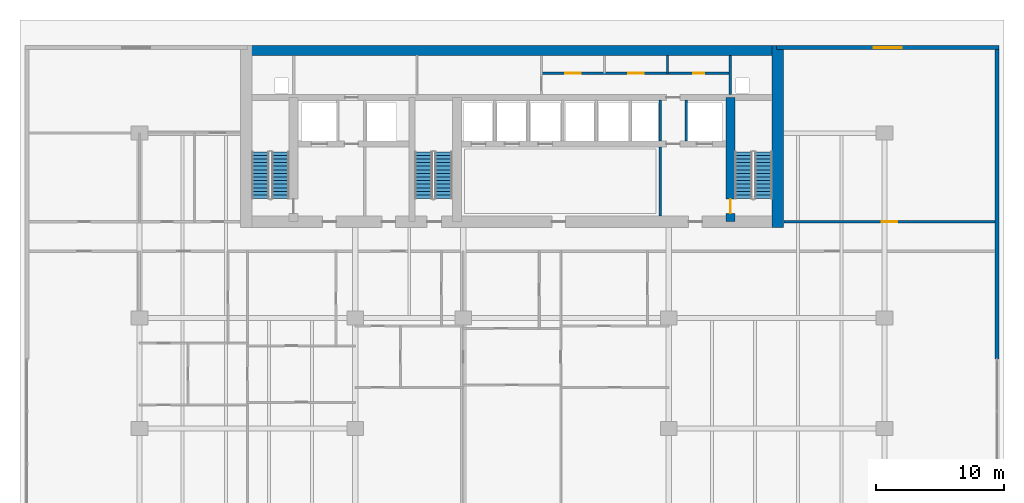
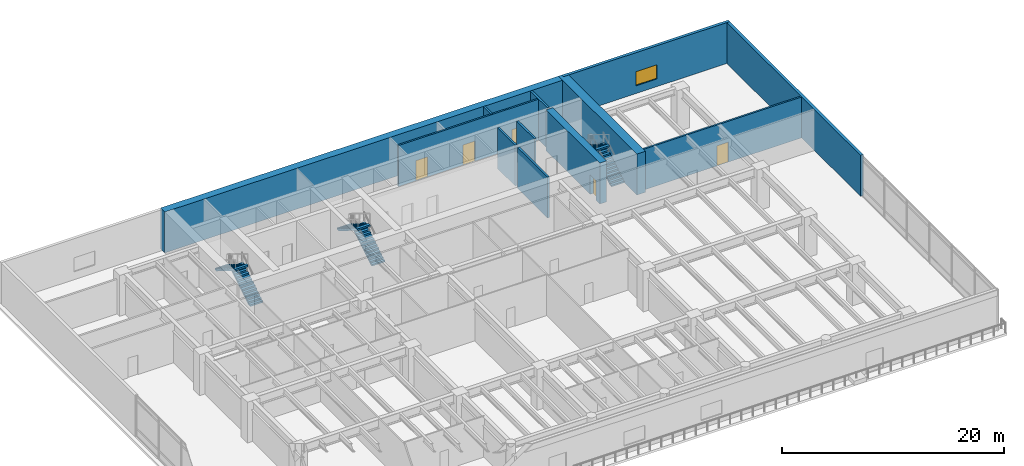
# One storey, part 10 of 14: 12 walls, 6 stair flights, 5 doors, 1 window, 6 openings, 3 elements without a shape of their own.
"""IFC4 building model written with IfcOpenShell, lengths in metres."""

from ifc_helpers import new_model, si_unit, direction, frame, frame_2d, origin, place, context, subcontext, project, spatial, polyline, rectangle, outline, extrude, material, layer, layer_set, type_object, element, fill, aggregate, save


model = new_model("IFC4")

# Units and contexts
model_context = context("Model", 3, precision=1e-05, world=origin(), true_north=direction((0.0, 1.0)))
body_context = subcontext(model_context, "Body", "Model", "MODEL_VIEW")
ifc_project = project(units=[si_unit("LENGTHUNIT", "METRE"), si_unit("AREAUNIT", "SQUARE_METRE"), si_unit("VOLUMEUNIT", "CUBIC_METRE"), si_unit("PLANEANGLEUNIT", "RADIAN"), si_unit("MASSUNIT", "GRAM", prefix="KILO")], contexts=[model_context])

# Site, building, storey
site_placement = place(None, origin())
site = spatial("IfcSite", under=ifc_project, at=site_placement, CompositionType="ELEMENT")
building_placement = place(site_placement, origin())
building = spatial("IfcBuilding", under=site, at=building_placement, Name="Caelmar Bay Residences", CompositionType="ELEMENT")
storey_placement = place(building_placement, frame((0.0, 0.0, 15.0)))
storey = spatial("IfcBuildingStorey", under=building, at=storey_placement, Name="L03", CompositionType="ELEMENT", Elevation=15.0)

# Wall, opening, door
ifc_material_1 = material(Name="Concrete f'c 55 MPa (8,000 psi)", Category="concrete")
ifc_layer_1 = layer(ifc_material_1, 0.699951171875)
ifc_layer_set_1 = layer_set([ifc_layer_1], Name="Concrete f'c 55 MPa (8,000 psi)")
wall_type_1 = type_object("IfcWallType", Name="SW-COR-700", PredefinedType="SHEAR", material=ifc_layer_set_1)
wall_1_placement = place(storey_placement, frame((55.89990234375, 36.89990234375, 0.0), z_axis=(0.0, 0.0, 1.0), x_axis=(0.0, 1.0, 0.0)))
wall_1 = element("IfcWall", 1, at=wall_1_placement, inside=storey, type_object=wall_type_1, Name="L03 Core Structural Web Wall ST2W", PredefinedType="SHEAR", context=body_context, shape_type="SweptSolid", body=[
    extrude(rectangle(XDim=9.675048828125, YDim=0.699951171875, at=frame_2d((4.83740234375, 0.0))), origin(), (0.0, 0.0, 1.0), 4.5),
])
opening_1_placement = place(wall_1_placement, frame((0.64990234375, 0.0, 0.0)))
opening_1 = element("IfcOpeningElement", 2, at=opening_1_placement, cuts=wall_1, Name="Opening D-L03-111", PredefinedType="OPENING", context=body_context, shape_type="SweptSolid", body=[
    extrude(rectangle(XDim=1.10009765625, YDim=2.14990234375, at=frame_2d((0.550048828125, 1.074951171875))), frame((0.0, 0.35986328125, 0.0), z_axis=(0.0, -1.0, 0.0), x_axis=(1.0, 0.0, 0.0)), (0.0, 0.0, 1.0), 0.719970703125),
])
ifc_material_2 = material(Name="Fire-rated steel and walnut architectural door assembly", Category="steel")
ifc_layer_2 = layer(ifc_material_2, 0.050048828125)
ifc_layer_set_2 = layer_set([ifc_layer_2], Name="Fire-rated steel and walnut architectural door assembly")
door_type_1 = type_object("IfcDoorType", Name="D-STAIR-1100", OperationType="NOTDEFINED", PredefinedType="DOOR", material=ifc_layer_set_2)
door_1_placement = place(opening_1_placement, origin())
door_1 = element("IfcDoor", 3, at=door_1_placement, inside=storey, type_object=door_type_1, Name="L03 Firefighting Lobby East Door", OperationType="SINGLE_SWING_RIGHT", OverallHeight=2.14990234375, OverallWidth=1.10009765625, PredefinedType="DOOR", context=body_context, shape_type="SweptSolid", body=[
    extrude(rectangle(XDim=1.10009765625, YDim=2.14990234375, at=frame_2d((0.550048828125, 1.074951171875))), frame((0.0, 0.02490234375, 0.0), z_axis=(0.0, -1.0, 0.0), x_axis=(1.0, 0.0, 0.0)), (0.0, 0.0, 1.0), 0.050048828125),
])
fill(opening_1, door_1)

# Walls
ifc_material_3 = material(Name="Concrete f'c 70 MPa (10,000 psi)", Category="concrete")
ifc_layer_3 = layer(ifc_material_3, 0.89990234375)
ifc_layer_set_3 = layer_set([ifc_layer_3], Name="Concrete f'c 70 MPa (10,000 psi)")
wall_type_2 = type_object("IfcWallType", Name="SW-COR-900", PredefinedType="SHEAR", material=ifc_layer_set_3)
wall_2_placement = place(storey_placement, frame((59.60009765625, 36.449951171875, 0.0), z_axis=(0.0, 0.0, 1.0), x_axis=(0.0, 1.0, 0.0)))
element("IfcWall", 4, at=wall_2_placement, inside=storey, type_object=wall_type_2, Name="L03 Rear Core East Shear Wall", PredefinedType="SHEAR", context=body_context, shape_type="SweptSolid", body=[
    extrude(rectangle(XDim=14.150146484375, YDim=0.89990234375, at=frame_2d((7.0751953125, 0.0))), origin(), (0.0, 0.0, 1.0), 4.5),
])
ifc_layer_4 = layer(ifc_material_3, 0.75)
ifc_layer_set_4 = layer_set([ifc_layer_4], Name="Concrete f'c 70 MPa (10,000 psi)")
wall_type_3 = type_object("IfcWallType", Name="SW-CORN-750", PredefinedType="SHEAR", material=ifc_layer_set_4)
wall_3_placement = place(storey_placement, frame((17.75, 50.22509765625, 0.0), z_axis=(0.0, 0.0, 1.0), x_axis=(1.0, 0.0, 0.0)))
element("IfcWall", 5, at=wall_3_placement, inside=storey, type_object=wall_type_3, Name="L03 Rear Core North Shear Wall", PredefinedType="SHEAR", context=body_context, shape_type="SweptSolid", body=[
    extrude(rectangle(XDim=42.300048828125, YDim=0.75, at=frame_2d((21.14990234375, 0.0))), origin(), (0.0, 0.0, 1.0), 4.5),
])
ifc_material_4 = material(Name="Double-stud acoustic fire-rated gypsum partition 180 mm")
ifc_layer_5 = layer(ifc_material_4, 0.179931640625)
ifc_layer_set_5 = layer_set([ifc_layer_5], Name="Double-stud acoustic fire-rated gypsum partition 180 mm")
wall_type_4 = type_object("IfcWallType", Name="W-COR-200", PredefinedType="PARTITIONING", material=ifc_layer_set_5)
wall_4_placement = place(storey_placement, frame((51.0, 48.449951171875, 0.0), z_axis=(0.0, 0.0, 1.0), x_axis=(0.0, 1.0, 0.0)))
element("IfcWall", 6, at=wall_4_placement, inside=storey, type_object=wall_type_4, Name="L03 Partition Wall V029", PredefinedType="PARTITIONING", context=body_context, shape_type="SweptSolid", body=[
    extrude(rectangle(XDim=1.405029296875, YDim=0.179931640625, at=frame_2d((0.70263671875, 0.0))), origin(), (0.0, 0.0, 1.0), 4.5),
])

# Wall, opening, door
wall_5_placement = place(storey_placement, frame((60.054931640625, 36.89990234375, 0.0), z_axis=(0.0, 0.0, 1.0), x_axis=(1.0, 0.0, 0.0)))
wall_5 = element("IfcWall", 7, at=wall_5_placement, inside=storey, type_object=wall_type_4, Name="L03 Partition Wall H047", PredefinedType="PARTITIONING", context=body_context, shape_type="SweptSolid", body=[
    extrude(rectangle(XDim=16.449951171875, YDim=0.179931640625, at=frame_2d((8.22509765625, 0.0))), origin(), (0.0, 0.0, 1.0), 4.5),
])
opening_2_placement = place(wall_5_placement, frame((7.625, 0.0, 0.0)))
opening_2 = element("IfcOpeningElement", 8, at=opening_2_placement, cuts=wall_5, Name="Opening D-L03-151", PredefinedType="OPENING", context=body_context, shape_type="SweptSolid", body=[
    extrude(rectangle(XDim=1.199951171875, YDim=2.199951171875, at=frame_2d((0.60009765625, 1.10009765625))), frame((0.0, 0.099853515625, 0.0), z_axis=(0.0, -1.0, 0.0), x_axis=(1.0, 0.0, 0.0)), (0.0, 0.0, 1.0), 0.199951171875),
])
ifc_layer_6 = layer(ifc_material_2, 0.050048828125)
ifc_layer_set_6 = layer_set([ifc_layer_6], Name="Fire-rated steel and walnut architectural door assembly")
door_type_2 = type_object("IfcDoorType", Name="D-PLANT-1200", OperationType="NOTDEFINED", PredefinedType="DOOR", material=ifc_layer_set_6)
door_2_placement = place(opening_2_placement, origin())
door_2 = element("IfcDoor", 9, at=door_2_placement, inside=storey, type_object=door_type_2, Name="L03 Podium L03 East Fan Plant Room Door", OperationType="SINGLE_SWING_RIGHT", OverallHeight=2.199951171875, OverallWidth=1.199951171875, PredefinedType="DOOR", context=body_context, shape_type="SweptSolid", body=[
    extrude(rectangle(XDim=1.199951171875, YDim=2.199951171875, at=frame_2d((0.60009765625, 1.10009765625))), frame((0.0, 0.02490234375, 0.0), z_axis=(0.0, -1.0, 0.0), x_axis=(1.0, 0.0, 0.0)), (0.0, 0.0, 1.0), 0.050048828125),
])
fill(opening_2, door_2)

# Wall, openings, doors
wall_6_placement = place(storey_placement, frame((41.199951171875, 48.449951171875, 0.0), z_axis=(0.0, 0.0, 1.0), x_axis=(1.0, 0.0, 0.0)))
wall_6 = element("IfcWall", 10, at=wall_6_placement, inside=storey, type_object=wall_type_4, Name="L03 Partition Wall H049", PredefinedType="PARTITIONING", context=body_context, shape_type="SweptSolid", body=[
    extrude(rectangle(XDim=14.699951171875, YDim=0.179931640625, at=frame_2d((7.35009765625, 0.0))), origin(), (0.0, 0.0, 1.0), 4.5),
])
opening_3_placement = place(wall_6_placement, frame((1.85009765625, 0.0, 0.0)))
opening_3 = element("IfcOpeningElement", 11, at=opening_3_placement, cuts=wall_6, Name="Opening D-L03-118", PredefinedType="OPENING", context=body_context, shape_type="SweptSolid", body=[
    extrude(rectangle(XDim=1.199951171875, YDim=2.199951171875, at=frame_2d((0.60009765625, 1.10009765625))), frame((0.0, 0.099853515625, 0.0), z_axis=(0.0, -1.0, 0.0), x_axis=(1.0, 0.0, 0.0)), (0.0, 0.0, 1.0), 0.199951171875),
])
opening_4_placement = place(wall_6_placement, frame((6.75, 0.0, 0.0)))
opening_4 = element("IfcOpeningElement", 12, at=opening_4_placement, cuts=wall_6, Name="Opening D-L03-119", PredefinedType="OPENING", context=body_context, shape_type="SweptSolid", body=[
    extrude(rectangle(XDim=1.199951171875, YDim=2.199951171875, at=frame_2d((0.60009765625, 1.10009765625))), frame((0.0, 0.099853515625, 0.0), z_axis=(0.0, -1.0, 0.0), x_axis=(1.0, 0.0, 0.0)), (0.0, 0.0, 1.0), 0.199951171875),
])
opening_5_placement = place(wall_6_placement, frame((11.824951171875, 0.0, 0.0)))
opening_5 = element("IfcOpeningElement", 13, at=opening_5_placement, cuts=wall_6, Name="Opening D-L03-120", PredefinedType="OPENING", context=body_context, shape_type="SweptSolid", body=[
    extrude(rectangle(XDim=0.85009765625, YDim=2.10009765625, at=frame_2d((0.425048828125, 1.050048828125))), frame((0.0, 0.099853515625, 0.0), z_axis=(0.0, -1.0, 0.0), x_axis=(1.0, 0.0, 0.0)), (0.0, 0.0, 1.0), 0.199951171875),
])
ifc_layer_7 = layer(ifc_material_2, 0.050048828125)
ifc_layer_set_7 = layer_set([ifc_layer_7], Name="Fire-rated steel and walnut architectural door assembly")
door_type_3 = type_object("IfcDoorType", Name="D-CORE-850", OperationType="NOTDEFINED", PredefinedType="DOOR", material=ifc_layer_set_7)
door_3_placement = place(opening_5_placement, origin())
door_3 = element("IfcDoor", 14, at=door_3_placement, inside=storey, type_object=door_type_3, Name="L03 Accessible Staff WC Door", OperationType="SINGLE_SWING_LEFT", OverallHeight=2.10009765625, OverallWidth=0.85009765625, PredefinedType="DOOR", context=body_context, shape_type="SweptSolid", body=[
    extrude(rectangle(XDim=0.85009765625, YDim=2.10009765625, at=frame_2d((0.425048828125, 1.050048828125))), frame((0.0, 0.02490234375, 0.0), z_axis=(0.0, -1.0, 0.0), x_axis=(1.0, 0.0, 0.0)), (0.0, 0.0, 1.0), 0.050048828125),
])
fill(opening_5, door_3)
door_4_placement = place(opening_3_placement, origin())
door_4 = element("IfcDoor", 15, at=door_4_placement, inside=storey, type_object=door_type_2, Name="L03 Electrical Closet Door", OperationType="SINGLE_SWING_LEFT", OverallHeight=2.199951171875, OverallWidth=1.199951171875, PredefinedType="DOOR", context=body_context, shape_type="SweptSolid", body=[
    extrude(rectangle(XDim=1.199951171875, YDim=2.199951171875, at=frame_2d((0.60009765625, 1.10009765625))), frame((0.0, 0.02490234375, 0.0), z_axis=(0.0, -1.0, 0.0), x_axis=(1.0, 0.0, 0.0)), (0.0, 0.0, 1.0), 0.050048828125),
])
fill(opening_3, door_4)
door_5_placement = place(opening_4_placement, origin())
door_5 = element("IfcDoor", 16, at=door_5_placement, inside=storey, type_object=door_type_2, Name="L03 Housekeeping Linen Closet Door", OperationType="SINGLE_SWING_RIGHT", OverallHeight=2.199951171875, OverallWidth=1.199951171875, PredefinedType="DOOR", context=body_context, shape_type="SweptSolid", body=[
    extrude(rectangle(XDim=1.199951171875, YDim=2.199951171875, at=frame_2d((0.60009765625, 1.10009765625))), frame((0.0, 0.02490234375, 0.0), z_axis=(0.0, -1.0, 0.0), x_axis=(1.0, 0.0, 0.0)), (0.0, 0.0, 1.0), 0.050048828125),
])
fill(opening_4, door_5)

# Wall
ifc_material_5 = material(Name="Precast concrete f'c 40 MPa (6,000 psi)", Category="concrete")
ifc_layer_8 = layer(ifc_material_5, 0.300048828125)
ifc_layer_set_8 = layer_set([ifc_layer_8], Name="Precast concrete f'c 40 MPa (6,000 psi)")
wall_type_5 = type_object("IfcWallType", Name="W-EXT-300", PredefinedType="STANDARD", material=ifc_layer_set_8)
wall_7_placement = place(storey_placement, frame((76.64990234375, 50.60009765625, 0.0), z_axis=(0.0, 0.0, 1.0), x_axis=(0.0, -1.0, 0.0)))
element("IfcWall", 17, at=wall_7_placement, inside=storey, type_object=wall_type_5, Name="L03 East Rear Exterior Wall", PredefinedType="STANDARD", context=body_context, shape_type="SweptSolid", body=[
    extrude(rectangle(XDim=24.400146484375, YDim=0.300048828125, at=frame_2d((12.2001953125, 0.0))), origin(), (0.0, 0.0, 1.0), 4.5),
])

# Wall, opening, window
wall_8_placement = place(storey_placement, frame((59.5, 50.449951171875, 0.0), z_axis=(0.0, 0.0, 1.0), x_axis=(1.0, 0.0, 0.0)))
wall_8 = element("IfcWall", 18, at=wall_8_placement, inside=storey, type_object=wall_type_5, Name="L03 North-East Wing Exterior Wall", PredefinedType="STANDARD", context=body_context, shape_type="SweptSolid", body=[
    extrude(rectangle(XDim=17.300048828125, YDim=0.300048828125, at=frame_2d((8.64990234375, 0.0))), origin(), (0.0, 0.0, 1.0), 4.5),
])
opening_6_placement = place(wall_8_placement, frame((7.550048828125, 0.0, 0.85009765625)))
opening_6 = element("IfcOpeningElement", 19, at=opening_6_placement, cuts=wall_8, Name="Opening WN2", PredefinedType="OPENING", context=body_context, shape_type="SweptSolid", body=[
    extrude(rectangle(XDim=2.199951171875, YDim=1.550048828125, at=frame_2d((1.10009765625, 0.77490234375))), frame((0.0, 0.159912109375, 0.0), z_axis=(0.0, -1.0, 0.0), x_axis=(1.0, 0.0, 0.0)), (0.0, 0.0, 1.0), 0.320068359375),
])
ifc_material_6 = material(Name="Bronze aluminium frame with laminated low-E glass", Category="aluminium")
ifc_layer_9 = layer(ifc_material_6, 0.06005859375)
ifc_layer_set_9 = layer_set([ifc_layer_9], Name="Bronze aluminium frame with laminated low-E glass")
window_type = type_object("IfcWindowType", Name="WIN-BR-2200", PartitioningType="SINGLE_PANEL", PredefinedType="WINDOW", material=ifc_layer_set_9)
window_placement = place(opening_6_placement, origin())
window = element("IfcWindow", 20, at=window_placement, inside=storey, type_object=window_type, Name="L03 North-East Studio Window", OverallHeight=1.550048828125, OverallWidth=2.199951171875, PartitioningType="SINGLE_PANEL", PredefinedType="WINDOW", context=body_context, shape_type="SweptSolid", body=[
    extrude(rectangle(XDim=2.199951171875, YDim=1.550048828125, at=frame_2d((1.10009765625, 0.77490234375))), frame((0.0, 0.030029296875, 0.0), z_axis=(0.0, -1.0, 0.0), x_axis=(1.0, 0.0, 0.0)), (0.0, 0.0, 1.0), 0.06005859375),
])
fill(opening_6, window)

# Walls
ifc_material_7 = material(Name="Fire-rated masonry and gypsum shaftliner assembly 200 mm", Category="masonry")
ifc_layer_10 = layer(ifc_material_7, 0.199951171875)
ifc_layer_set_10 = layer_set([ifc_layer_10], Name="Fire-rated masonry and gypsum shaftliner assembly 200 mm")
wall_type_6 = type_object("IfcWallType", Name="W-FSAE-200", PredefinedType="PARTITIONING", material=ifc_layer_set_10)
wall_9_placement = place(storey_placement, frame((50.449951171875, 37.344970703125, 0.0), z_axis=(0.0, 0.0, 1.0), x_axis=(0.0, 1.0, 0.0)))
element("IfcWall", 21, at=wall_9_placement, inside=storey, type_object=wall_type_6, Name="L03 Partition Wall V027", PredefinedType="PARTITIONING", context=body_context, shape_type="SweptSolid", body=[
    extrude(rectangle(XDim=5.385009765625, YDim=0.199951171875, at=frame_2d((2.6923828125, 0.0))), origin(), (0.0, 0.0, 1.0), 4.5),
])
for number, where, z_axis, x_axis, name in (
    (22, (50.449951171875, 43.169921875, 0.0), (0.0, 0.0, 1.0), (0.0, 1.0, 0.0), "L03 Partition Wall V028"),
    (23, (52.449951171875, 43.169921875, 0.0), (0.0, 0.0, 1.0), (0.0, 1.0, 0.0), "L03 Partition Wall V031"),
):
    element("IfcWall", number, at=place(storey_placement, frame(where, z_axis=z_axis, x_axis=x_axis)), inside=storey, type_object=wall_type_6, Name=name, PredefinedType="PARTITIONING", context=body_context, shape_type="SweptSolid", body=[
        extrude(rectangle(XDim=3.18505859375, YDim=0.199951171875, at=frame_2d((1.592529296875, 0.0))), origin(), (0.0, 0.0, 1.0), 4.5),
    ])
wall_10_placement = place(storey_placement, frame((55.89990234375, 46.794921875, 0.0), z_axis=(0.0, 0.0, 1.0), x_axis=(0.0, 1.0, 0.0)))
element("IfcWall", 24, at=wall_10_placement, inside=storey, type_object=wall_type_6, Name="L03 Partition Wall V032", PredefinedType="PARTITIONING", context=body_context, shape_type="SweptSolid", body=[
    extrude(rectangle(XDim=3.06005859375, YDim=0.199951171875, at=frame_2d((1.530029296875, 0.0))), origin(), (0.0, 0.0, 1.0), 4.5),
])

# Stair, stair flights
ifc_material_8 = material(Name="Concrete f'c 40 MPa (6,000 psi)", Category="concrete")
stair_type = type_object("IfcStairType", Name="ST-TAL-170", PredefinedType="HALF_TURN_STAIR", material=ifc_material_8)
stair_1_placement = place(storey_placement, origin())
stair_1 = element("IfcStair", 25, at=stair_1_placement, inside=storey, type_object=stair_type, Name="L03 West Smokeproof Exit Stair ST1", PredefinedType="HALF_TURN_STAIR")
stair_flight_type = type_object("IfcStairFlightType", Name="STF-1400", PredefinedType="STRAIGHT", material=ifc_material_5)
stair_flight_1_placement = place(storey_placement, frame((20.875, 38.699951171875, 0.0), z_axis=(0.0, 0.0, 1.0), x_axis=(0.0, 1.0, 0.0)))
stair_flight_1 = element("IfcStairFlight", 26, at=stair_flight_1_placement, type_object=stair_flight_type, Name="ST1 flight 1", NumberOfRisers=14, NumberOfTreads=13, PredefinedType="STRAIGHT", RiserHeight=0.171428571, TreadLength=0.28, context=body_context, shape_type="SweptSolid", body=[
    extrude(outline(polyline([(0.0, 0.0), (0.0, 0.17138671875), (0.280029296875, 0.17138671875), (0.280029296875, 0.3427734375), (0.56005859375, 0.3427734375), (0.56005859375, 0.514404296875), (0.840087890625, 0.514404296875), (0.840087890625, 0.685791015625), (1.1201171875, 0.685791015625), (1.1201171875, 0.857177734375), (1.39990234375, 0.857177734375), (1.39990234375, 1.028564453125), (1.679931640625, 1.028564453125), (1.679931640625, 1.199951171875), (1.9599609375, 1.199951171875), (1.9599609375, 1.371337890625), (2.239990234375, 1.371337890625), (2.239990234375, 1.54296875), (2.52001953125, 1.54296875), (2.52001953125, 1.71435546875), (2.800048828125, 1.71435546875), (2.800048828125, 1.8857421875), (3.080078125, 1.8857421875), (3.080078125, 2.05712890625), (3.360107421875, 2.05712890625), (3.360107421875, 2.228515625), (3.639892578125, 2.228515625), (3.639892578125, 2.39990234375), (3.639892578125, 2.052734375), (0.287109375, 0.0), (0.0, 0.0)])), frame((0.0, 0.675048828125, 0.0), z_axis=(0.0, -1.0, 0.0), x_axis=(1.0, 0.0, 0.0)), (0.0, 0.0, 1.0), 1.35009765625),
])
stair_flight_2_placement = place(storey_placement, frame((19.324951171875, 42.340087890625, 2.39990234375), z_axis=(0.0, 0.0, 1.0), x_axis=(0.0, -1.0, 0.0)))
stair_flight_2 = element("IfcStairFlight", 27, at=stair_flight_2_placement, type_object=stair_flight_type, Name="ST1 flight 2", NumberOfRisers=14, NumberOfTreads=13, PredefinedType="STRAIGHT", RiserHeight=0.171428571, TreadLength=0.28, context=body_context, shape_type="SweptSolid", body=[
    extrude(outline(polyline([(0.0, 0.0), (0.0, 0.17138671875), (0.280029296875, 0.17138671875), (0.280029296875, 0.3427734375), (0.56005859375, 0.3427734375), (0.56005859375, 0.514404296875), (0.840087890625, 0.514404296875), (0.840087890625, 0.685791015625), (1.1201171875, 0.685791015625), (1.1201171875, 0.857177734375), (1.39990234375, 0.857177734375), (1.39990234375, 1.028564453125), (1.679931640625, 1.028564453125), (1.679931640625, 1.199951171875), (1.9599609375, 1.199951171875), (1.9599609375, 1.371337890625), (2.239990234375, 1.371337890625), (2.239990234375, 1.54296875), (2.52001953125, 1.54296875), (2.52001953125, 1.71435546875), (2.800048828125, 1.71435546875), (2.800048828125, 1.8857421875), (3.080078125, 1.8857421875), (3.080078125, 2.05712890625), (3.360107421875, 2.05712890625), (3.360107421875, 2.228515625), (3.639892578125, 2.228515625), (3.639892578125, 2.39990234375), (3.639892578125, 2.052734375), (0.287109375, 0.0), (0.0, 0.0)])), frame((0.0, 0.675048828125, 0.0), z_axis=(0.0, -1.0, 0.0), x_axis=(1.0, 0.0, 0.0)), (0.0, 0.0, 1.0), 1.35009765625),
])
aggregate(stair_1, [stair_flight_1, stair_flight_2])

stair_2_placement = place(storey_placement, origin())
stair_2 = element("IfcStair", 28, at=stair_2_placement, inside=storey, type_object=stair_type, Name="L03 East Smokeproof Exit Stair ST2", PredefinedType="HALF_TURN_STAIR")
stair_flight_3_placement = place(storey_placement, frame((58.47509765625, 38.699951171875, 0.0), z_axis=(0.0, 0.0, 1.0), x_axis=(0.0, 1.0, 0.0)))
stair_flight_3 = element("IfcStairFlight", 29, at=stair_flight_3_placement, type_object=stair_flight_type, Name="ST2 flight 1", NumberOfRisers=14, NumberOfTreads=13, PredefinedType="STRAIGHT", RiserHeight=0.171428571, TreadLength=0.28, context=body_context, shape_type="SweptSolid", body=[
    extrude(outline(polyline([(0.0, 0.0), (0.0, 0.17138671875), (0.280029296875, 0.17138671875), (0.280029296875, 0.3427734375), (0.56005859375, 0.3427734375), (0.56005859375, 0.514404296875), (0.840087890625, 0.514404296875), (0.840087890625, 0.685791015625), (1.1201171875, 0.685791015625), (1.1201171875, 0.857177734375), (1.39990234375, 0.857177734375), (1.39990234375, 1.028564453125), (1.679931640625, 1.028564453125), (1.679931640625, 1.199951171875), (1.9599609375, 1.199951171875), (1.9599609375, 1.371337890625), (2.239990234375, 1.371337890625), (2.239990234375, 1.54296875), (2.52001953125, 1.54296875), (2.52001953125, 1.71435546875), (2.800048828125, 1.71435546875), (2.800048828125, 1.8857421875), (3.080078125, 1.8857421875), (3.080078125, 2.05712890625), (3.360107421875, 2.05712890625), (3.360107421875, 2.228515625), (3.639892578125, 2.228515625), (3.639892578125, 2.39990234375), (3.639892578125, 2.052734375), (0.287109375, 0.0), (0.0, 0.0)])), frame((0.0, 0.675048828125, 0.0), z_axis=(0.0, -1.0, 0.0), x_axis=(1.0, 0.0, 0.0)), (0.0, 0.0, 1.0), 1.35009765625),
])
stair_flight_4_placement = place(storey_placement, frame((56.925048828125, 42.340087890625, 2.39990234375), z_axis=(0.0, 0.0, 1.0), x_axis=(0.0, -1.0, 0.0)))
stair_flight_4 = element("IfcStairFlight", 30, at=stair_flight_4_placement, type_object=stair_flight_type, Name="ST2 flight 2", NumberOfRisers=14, NumberOfTreads=13, PredefinedType="STRAIGHT", RiserHeight=0.171428571, TreadLength=0.28, context=body_context, shape_type="SweptSolid", body=[
    extrude(outline(polyline([(0.0, 0.0), (0.0, 0.17138671875), (0.280029296875, 0.17138671875), (0.280029296875, 0.3427734375), (0.56005859375, 0.3427734375), (0.56005859375, 0.514404296875), (0.840087890625, 0.514404296875), (0.840087890625, 0.685791015625), (1.1201171875, 0.685791015625), (1.1201171875, 0.857177734375), (1.39990234375, 0.857177734375), (1.39990234375, 1.028564453125), (1.679931640625, 1.028564453125), (1.679931640625, 1.199951171875), (1.9599609375, 1.199951171875), (1.9599609375, 1.371337890625), (2.239990234375, 1.371337890625), (2.239990234375, 1.54296875), (2.52001953125, 1.54296875), (2.52001953125, 1.71435546875), (2.800048828125, 1.71435546875), (2.800048828125, 1.8857421875), (3.080078125, 1.8857421875), (3.080078125, 2.05712890625), (3.360107421875, 2.05712890625), (3.360107421875, 2.228515625), (3.639892578125, 2.228515625), (3.639892578125, 2.39990234375), (3.639892578125, 2.052734375), (0.287109375, 0.0), (0.0, 0.0)])), frame((0.0, 0.675048828125, 0.0), z_axis=(0.0, -1.0, 0.0), x_axis=(1.0, 0.0, 0.0)), (0.0, 0.0, 1.0), 1.35009765625),
])
aggregate(stair_2, [stair_flight_3, stair_flight_4])

stair_3_placement = place(storey_placement, origin())
stair_3 = element("IfcStair", 31, at=stair_3_placement, inside=storey, type_object=stair_type, Name="L03 Central Smokeproof Exit Stair ST3", PredefinedType="HALF_TURN_STAIR")
stair_flight_5_placement = place(storey_placement, frame((33.574951171875, 38.699951171875, 0.0), z_axis=(0.0, 0.0, 1.0), x_axis=(0.0, 1.0, 0.0)))
stair_flight_5 = element("IfcStairFlight", 32, at=stair_flight_5_placement, type_object=stair_flight_type, Name="ST3 flight 1", NumberOfRisers=14, NumberOfTreads=13, PredefinedType="STRAIGHT", RiserHeight=0.171428571, TreadLength=0.28, context=body_context, shape_type="SweptSolid", body=[
    extrude(outline(polyline([(0.0, 0.0), (0.0, 0.17138671875), (0.280029296875, 0.17138671875), (0.280029296875, 0.3427734375), (0.56005859375, 0.3427734375), (0.56005859375, 0.514404296875), (0.840087890625, 0.514404296875), (0.840087890625, 0.685791015625), (1.1201171875, 0.685791015625), (1.1201171875, 0.857177734375), (1.39990234375, 0.857177734375), (1.39990234375, 1.028564453125), (1.679931640625, 1.028564453125), (1.679931640625, 1.199951171875), (1.9599609375, 1.199951171875), (1.9599609375, 1.371337890625), (2.239990234375, 1.371337890625), (2.239990234375, 1.54296875), (2.52001953125, 1.54296875), (2.52001953125, 1.71435546875), (2.800048828125, 1.71435546875), (2.800048828125, 1.8857421875), (3.080078125, 1.8857421875), (3.080078125, 2.05712890625), (3.360107421875, 2.05712890625), (3.360107421875, 2.228515625), (3.639892578125, 2.228515625), (3.639892578125, 2.39990234375), (3.639892578125, 2.052734375), (0.287109375, 0.0), (0.0, 0.0)])), frame((0.0, 0.675048828125, 0.0), z_axis=(0.0, -1.0, 0.0), x_axis=(1.0, 0.0, 0.0)), (0.0, 0.0, 1.0), 1.35009765625),
])
stair_flight_6_placement = place(storey_placement, frame((32.02490234375, 42.340087890625, 2.39990234375), z_axis=(0.0, 0.0, 1.0), x_axis=(0.0, -1.0, 0.0)))
stair_flight_6 = element("IfcStairFlight", 33, at=stair_flight_6_placement, type_object=stair_flight_type, Name="ST3 flight 2", NumberOfRisers=14, NumberOfTreads=13, PredefinedType="STRAIGHT", RiserHeight=0.171428571, TreadLength=0.28, context=body_context, shape_type="SweptSolid", body=[
    extrude(outline(polyline([(0.0, 0.0), (0.0, 0.17138671875), (0.280029296875, 0.17138671875), (0.280029296875, 0.3427734375), (0.56005859375, 0.3427734375), (0.56005859375, 0.514404296875), (0.840087890625, 0.514404296875), (0.840087890625, 0.685791015625), (1.1201171875, 0.685791015625), (1.1201171875, 0.857177734375), (1.39990234375, 0.857177734375), (1.39990234375, 1.028564453125), (1.679931640625, 1.028564453125), (1.679931640625, 1.199951171875), (1.9599609375, 1.199951171875), (1.9599609375, 1.371337890625), (2.239990234375, 1.371337890625), (2.239990234375, 1.54296875), (2.52001953125, 1.54296875), (2.52001953125, 1.71435546875), (2.800048828125, 1.71435546875), (2.800048828125, 1.8857421875), (3.080078125, 1.8857421875), (3.080078125, 2.05712890625), (3.360107421875, 2.05712890625), (3.360107421875, 2.228515625), (3.639892578125, 2.228515625), (3.639892578125, 2.39990234375), (3.639892578125, 2.052734375), (0.287109375, 0.0), (0.0, 0.0)])), frame((0.0, 0.675048828125, 0.0), z_axis=(0.0, -1.0, 0.0), x_axis=(1.0, 0.0, 0.0)), (0.0, 0.0, 1.0), 1.35009765625),
])
aggregate(stair_3, [stair_flight_5, stair_flight_6])

save(model, "model.ifc")
